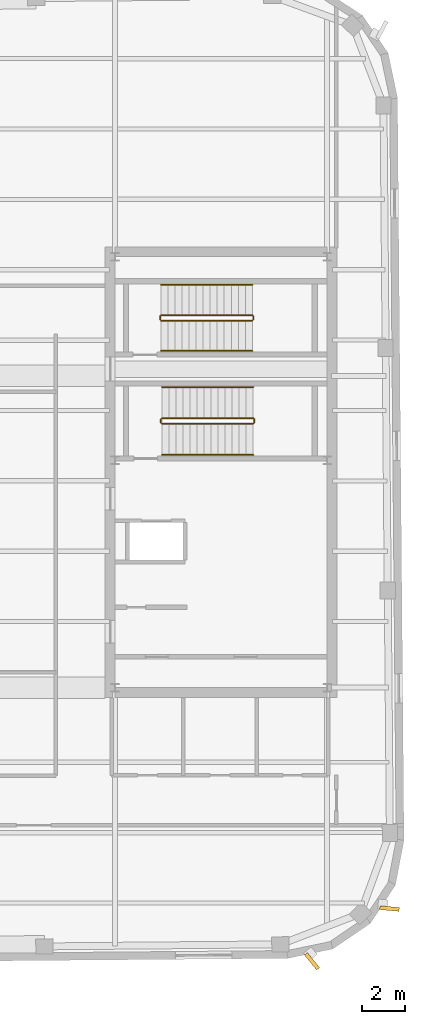
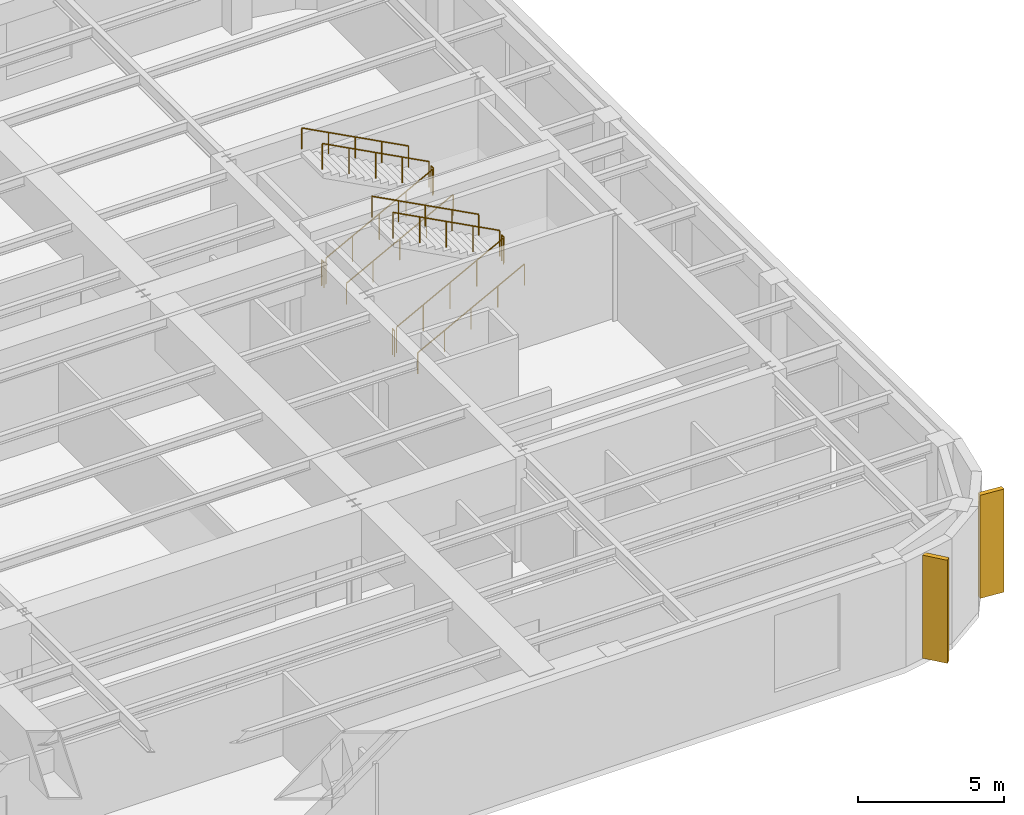
# One storey, part 13 of 14: 12 railings, 2 shading devices.
"""IFC4 building model written with IfcOpenShell, lengths in metres."""

from ifc_helpers import new_model, si_unit, direction, frame, origin, origin_2d, place, context, subcontext, project, spatial, rectangle, circle, extrude, material, type_object, element, save


model = new_model("IFC4")

# Units and contexts
model_context = context("Model", 3, precision=1e-05, world=origin(), true_north=direction((0.0, 1.0)))
body_context = subcontext(model_context, "Body", "Model", "MODEL_VIEW")
ifc_project = project(units=[si_unit("LENGTHUNIT", "METRE"), si_unit("AREAUNIT", "SQUARE_METRE"), si_unit("VOLUMEUNIT", "CUBIC_METRE"), si_unit("PLANEANGLEUNIT", "RADIAN"), si_unit("MASSUNIT", "GRAM", prefix="KILO")], contexts=[model_context])

# Site, building, storey
site_placement = place(None, origin())
site = spatial("IfcSite", under=ifc_project, at=site_placement, CompositionType="ELEMENT")
building_placement = place(site_placement, origin())
building = spatial("IfcBuilding", under=site, at=building_placement, Name="Kolvaren Arena Tower", CompositionType="ELEMENT")
storey_placement = place(building_placement, frame((0.0, 0.0, 317.199951171875)))
storey = spatial("IfcBuildingStorey", under=building, at=storey_placement, Name="L78", CompositionType="ELEMENT", Elevation=317.199951171875)

# Railings
ifc_material_1 = material(Name="Painted galvanized steel", Category="steel")
railing_type_1 = type_object("IfcRailingType", Name="GUARD-ST-110", PredefinedType="GUARDRAIL", material=ifc_material_1)
railing_1_placement = place(storey_placement, frame((52.719970703125, 31.639892578125, 0.17138671875)))
element("IfcRailing", 1, at=railing_1_placement, inside=storey, type_object=railing_type_1, Name="L78 ST-E1 stair guard 1", PredefinedType="GUARDRAIL", context=body_context, shape_type="SweptSolid", body=[
    extrude(circle(Radius=0.02392578125, at=origin_2d()), frame((0.0, 0.0, 1.076171875), z_axis=(0.883881365342, 0.0, 0.467711163007), x_axis=(0.0, 1.0, 0.0)), (0.0, 0.0, 1.0), 4.76513671875),
    extrude(circle(Radius=0.02099609375, at=origin_2d()), origin(), (0.0, 0.0, 1.0), 1.052001953125),
    extrude(circle(Radius=0.02099609375, at=origin_2d()), frame((1.052978515625, 0.0, 0.55712890625)), (0.0, 0.0, 1.0), 1.052001953125),
    extrude(circle(Radius=0.02099609375, at=origin_2d()), frame((2.10595703125, 0.0, 1.1142578125)), (0.0, 0.0, 1.0), 1.052001953125),
    extrude(circle(Radius=0.02099609375, at=origin_2d()), frame((3.158935546875, 0.0, 1.671630859375)), (0.0, 0.0, 1.0), 1.052001953125),
    extrude(circle(Radius=0.02099609375, at=origin_2d()), frame((4.2119140625, 0.0, 2.228759765625)), (0.0, 0.0, 1.0), 1.052001953125),
])
railing_2_placement = place(storey_placement, frame((56.98193359375, 31.68994140625, 2.400146484375)))
element("IfcRailing", 2, at=railing_2_placement, inside=storey, type_object=railing_type_1, Name="L78 ST-E1 stair guard 2", PredefinedType="GUARDRAIL", context=body_context, shape_type="SweptSolid", body=[
    extrude(circle(Radius=0.02392578125, at=origin_2d()), frame((0.0, 0.0, 1.076171875), z_axis=(0.0, 1.0, 0.0), x_axis=(-1.0, 0.0, 0.0)), (0.0, 0.0, 1.0), 0.150146484375),
    extrude(circle(Radius=0.02099609375, at=origin_2d()), origin(), (0.0, 0.0, 1.0), 1.052001953125),
    extrude(circle(Radius=0.02099609375, at=origin_2d()), frame((0.0, 0.150146484375, 0.0)), (0.0, 0.0, 1.0), 1.052001953125),
])
railing_3_placement = place(storey_placement, frame((56.931884765625, 31.889892578125, 2.571533203125)))
element("IfcRailing", 3, at=railing_3_placement, inside=storey, type_object=railing_type_1, Name="L78 ST-E1 stair guard 3", PredefinedType="GUARDRAIL", context=body_context, shape_type="SweptSolid", body=[
    extrude(circle(Radius=0.02392578125, at=origin_2d()), frame((0.0, 0.0, 1.076171875), z_axis=(-0.883902544957, 0.0, 0.467671135542), x_axis=(0.0, -1.0, 0.0)), (0.0, 0.0, 1.0), 4.76513671875),
    extrude(circle(Radius=0.02099609375, at=origin_2d()), origin(), (0.0, 0.0, 1.0), 1.052001953125),
    extrude(circle(Radius=0.02099609375, at=origin_2d()), frame((-1.052978515625, 0.0, 0.55712890625)), (0.0, 0.0, 1.0), 1.052001953125),
    extrude(circle(Radius=0.02099609375, at=origin_2d()), frame((-2.10595703125, 0.0, 1.1142578125)), (0.0, 0.0, 1.0), 1.052001953125),
    extrude(circle(Radius=0.02099609375, at=origin_2d()), frame((-3.158935546875, 0.0, 1.67138671875)), (0.0, 0.0, 1.0), 1.052001953125),
    extrude(circle(Radius=0.02099609375, at=origin_2d()), frame((-4.2119140625, 0.0, 2.228515625)), (0.0, 0.0, 1.0), 1.052001953125),
])
railing_4_placement = place(storey_placement, frame((52.669921875, 31.68994140625, 0.0)))
element("IfcRailing", 4, at=railing_4_placement, inside=storey, type_object=railing_type_1, Name="L78 ST-E1 stair guard 4", PredefinedType="GUARDRAIL", context=body_context, shape_type="SweptSolid", body=[
    extrude(circle(Radius=0.02392578125, at=origin_2d()), frame((0.0, 0.0, 1.076171875), z_axis=(0.0, 1.0, 0.0), x_axis=(-1.0, 0.0, 0.0)), (0.0, 0.0, 1.0), 0.150146484375),
    extrude(circle(Radius=0.02099609375, at=origin_2d()), origin(), (0.0, 0.0, 1.0), 1.052001953125),
    extrude(circle(Radius=0.02099609375, at=origin_2d()), frame((0.0, 0.150146484375, 0.0)), (0.0, 0.0, 1.0), 1.052001953125),
])
railing_5_placement = place(storey_placement, frame((52.679931640625, 36.39990234375, 0.17138671875)))
element("IfcRailing", 5, at=railing_5_placement, inside=storey, type_object=railing_type_1, Name="L78 ST-E2 stair guard 1", PredefinedType="GUARDRAIL", context=body_context, shape_type="SweptSolid", body=[
    extrude(circle(Radius=0.02392578125, at=origin_2d()), frame((0.0, 0.0, 1.076171875), z_axis=(0.883892572113, 0.0, 0.467689983818), x_axis=(0.0, 1.0, 0.0)), (0.0, 0.0, 1.0), 4.765380859375),
    extrude(circle(Radius=0.02099609375, at=origin_2d()), origin(), (0.0, 0.0, 1.0), 1.052001953125),
    extrude(circle(Radius=0.02099609375, at=origin_2d()), frame((1.052978515625, 0.0, 0.55712890625)), (0.0, 0.0, 1.0), 1.052001953125),
    extrude(circle(Radius=0.02099609375, at=origin_2d()), frame((2.10595703125, 0.0, 1.1142578125)), (0.0, 0.0, 1.0), 1.052001953125),
    extrude(circle(Radius=0.02099609375, at=origin_2d()), frame((3.1591796875, 0.0, 1.671630859375)), (0.0, 0.0, 1.0), 1.052001953125),
    extrude(circle(Radius=0.02099609375, at=origin_2d()), frame((4.212158203125, 0.0, 2.228759765625)), (0.0, 0.0, 1.0), 1.052001953125),
])
railing_6_placement = place(storey_placement, frame((56.94189453125, 36.449951171875, 2.400146484375)))
element("IfcRailing", 6, at=railing_6_placement, inside=storey, type_object=railing_type_1, Name="L78 ST-E2 stair guard 2", PredefinedType="GUARDRAIL", context=body_context, shape_type="SweptSolid", body=[
    extrude(circle(Radius=0.02392578125, at=origin_2d()), frame((0.0, 0.0, 1.076171875), z_axis=(0.0, 1.0, 0.0), x_axis=(-1.0, 0.0, 0.0)), (0.0, 0.0, 1.0), 0.150146484375),
    extrude(circle(Radius=0.02099609375, at=origin_2d()), origin(), (0.0, 0.0, 1.0), 1.052001953125),
    extrude(circle(Radius=0.02099609375, at=origin_2d()), frame((0.0, 0.150146484375, 0.0)), (0.0, 0.0, 1.0), 1.052001953125),
])
railing_7_placement = place(storey_placement, frame((56.89208984375, 36.64990234375, 2.571533203125)))
element("IfcRailing", 7, at=railing_7_placement, inside=storey, type_object=railing_type_1, Name="L78 ST-E2 stair guard 3", PredefinedType="GUARDRAIL", context=body_context, shape_type="SweptSolid", body=[
    extrude(circle(Radius=0.02392578125, at=origin_2d()), frame((0.0, 0.0, 1.076171875), z_axis=(-0.883913750078, 0.0, 0.46764995715), x_axis=(0.0, -1.0, 0.0)), (0.0, 0.0, 1.0), 4.765380859375),
    extrude(circle(Radius=0.02099609375, at=origin_2d()), origin(), (0.0, 0.0, 1.0), 1.052001953125),
    extrude(circle(Radius=0.02099609375, at=origin_2d()), frame((-1.052978515625, 0.0, 0.55712890625)), (0.0, 0.0, 1.0), 1.052001953125),
    extrude(circle(Radius=0.02099609375, at=origin_2d()), frame((-2.10595703125, 0.0, 1.1142578125)), (0.0, 0.0, 1.0), 1.052001953125),
    extrude(circle(Radius=0.02099609375, at=origin_2d()), frame((-3.1591796875, 0.0, 1.67138671875)), (0.0, 0.0, 1.0), 1.052001953125),
    extrude(circle(Radius=0.02099609375, at=origin_2d()), frame((-4.212158203125, 0.0, 2.228515625)), (0.0, 0.0, 1.0), 1.052001953125),
])
railing_8_placement = place(storey_placement, frame((52.6298828125, 36.449951171875, 0.0)))
element("IfcRailing", 8, at=railing_8_placement, inside=storey, type_object=railing_type_1, Name="L78 ST-E2 stair guard 4", PredefinedType="GUARDRAIL", context=body_context, shape_type="SweptSolid", body=[
    extrude(circle(Radius=0.02392578125, at=origin_2d()), frame((0.0, 0.0, 1.076171875), z_axis=(0.0, 1.0, 0.0), x_axis=(-1.0, 0.0, 0.0)), (0.0, 0.0, 1.0), 0.150146484375),
    extrude(circle(Radius=0.02099609375, at=origin_2d()), origin(), (0.0, 0.0, 1.0), 1.052001953125),
    extrude(circle(Radius=0.02099609375, at=origin_2d()), frame((0.0, 0.150146484375, 0.0)), (0.0, 0.0, 1.0), 1.052001953125),
])
ifc_material_2 = material(Name="Brushed stainless steel handrail", Category="steel")
railing_type_2 = type_object("IfcRailingType", Name="HRAIL-900", PredefinedType="HANDRAIL", material=ifc_material_2)
railing_9_placement = place(storey_placement, frame((52.719970703125, 30.199951171875, 0.17138671875)))
element("IfcRailing", 9, at=railing_9_placement, inside=storey, type_object=railing_type_2, Name="L78 ST-E1 stair handrail 1", PredefinedType="HANDRAIL", context=body_context, shape_type="SweptSolid", body=[
    extrude(circle(Radius=0.02392578125, at=origin_2d()), frame((0.0, 0.0, 0.8759765625), z_axis=(0.883881365342, 0.0, 0.467711163007), x_axis=(0.0, 1.0, 0.0)), (0.0, 0.0, 1.0), 4.76513671875),
    extrude(circle(Radius=0.02099609375, at=origin_2d()), origin(), (0.0, 0.0, 1.0), 0.851806640625),
    extrude(circle(Radius=0.02099609375, at=origin_2d()), frame((1.052978515625, 0.0, 0.55712890625)), (0.0, 0.0, 1.0), 0.851806640625),
    extrude(circle(Radius=0.02099609375, at=origin_2d()), frame((2.10595703125, 0.0, 1.1142578125)), (0.0, 0.0, 1.0), 0.851806640625),
    extrude(circle(Radius=0.02099609375, at=origin_2d()), frame((3.158935546875, 0.0, 1.671630859375)), (0.0, 0.0, 1.0), 0.851806640625),
    extrude(circle(Radius=0.02099609375, at=origin_2d()), frame((4.2119140625, 0.0, 2.228759765625)), (0.0, 0.0, 1.0), 0.851806640625),
])
railing_10_placement = place(storey_placement, frame((56.931884765625, 33.330078125, 2.571533203125)))
element("IfcRailing", 10, at=railing_10_placement, inside=storey, type_object=railing_type_2, Name="L78 ST-E1 stair handrail 2", PredefinedType="HANDRAIL", context=body_context, shape_type="SweptSolid", body=[
    extrude(circle(Radius=0.02392578125, at=origin_2d()), frame((0.0, 0.0, 0.8759765625), z_axis=(-0.883902544957, 0.0, 0.467671135542), x_axis=(0.0, -1.0, 0.0)), (0.0, 0.0, 1.0), 4.76513671875),
    extrude(circle(Radius=0.02099609375, at=origin_2d()), origin(), (0.0, 0.0, 1.0), 0.851806640625),
    extrude(circle(Radius=0.02099609375, at=origin_2d()), frame((-1.052978515625, 0.0, 0.55712890625)), (0.0, 0.0, 1.0), 0.851806640625),
    extrude(circle(Radius=0.02099609375, at=origin_2d()), frame((-2.10595703125, 0.0, 1.1142578125)), (0.0, 0.0, 1.0), 0.851806640625),
    extrude(circle(Radius=0.02099609375, at=origin_2d()), frame((-3.158935546875, 0.0, 1.67138671875)), (0.0, 0.0, 1.0), 0.851806640625),
    extrude(circle(Radius=0.02099609375, at=origin_2d()), frame((-4.2119140625, 0.0, 2.228515625)), (0.0, 0.0, 1.0), 0.851806640625),
])
railing_11_placement = place(storey_placement, frame((52.679931640625, 35.0, 0.17138671875)))
element("IfcRailing", 11, at=railing_11_placement, inside=storey, type_object=railing_type_2, Name="L78 ST-E2 stair handrail 1", PredefinedType="HANDRAIL", context=body_context, shape_type="SweptSolid", body=[
    extrude(circle(Radius=0.02392578125, at=origin_2d()), frame((0.0, 0.0, 0.8759765625), z_axis=(0.883892572113, 0.0, 0.467689983818), x_axis=(0.0, 1.0, 0.0)), (0.0, 0.0, 1.0), 4.765380859375),
    extrude(circle(Radius=0.02099609375, at=origin_2d()), origin(), (0.0, 0.0, 1.0), 0.851806640625),
    extrude(circle(Radius=0.02099609375, at=origin_2d()), frame((1.052978515625, 0.0, 0.55712890625)), (0.0, 0.0, 1.0), 0.851806640625),
    extrude(circle(Radius=0.02099609375, at=origin_2d()), frame((2.10595703125, 0.0, 1.1142578125)), (0.0, 0.0, 1.0), 0.851806640625),
    extrude(circle(Radius=0.02099609375, at=origin_2d()), frame((3.1591796875, 0.0, 1.671630859375)), (0.0, 0.0, 1.0), 0.851806640625),
    extrude(circle(Radius=0.02099609375, at=origin_2d()), frame((4.212158203125, 0.0, 2.228759765625)), (0.0, 0.0, 1.0), 0.851806640625),
])
railing_12_placement = place(storey_placement, frame((56.89208984375, 38.050048828125, 2.571533203125)))
element("IfcRailing", 12, at=railing_12_placement, inside=storey, type_object=railing_type_2, Name="L78 ST-E2 stair handrail 2", PredefinedType="HANDRAIL", context=body_context, shape_type="SweptSolid", body=[
    extrude(circle(Radius=0.02392578125, at=origin_2d()), frame((0.0, 0.0, 0.8759765625), z_axis=(-0.883913750078, 0.0, 0.46764995715), x_axis=(0.0, -1.0, 0.0)), (0.0, 0.0, 1.0), 4.765380859375),
    extrude(circle(Radius=0.02099609375, at=origin_2d()), origin(), (0.0, 0.0, 1.0), 0.851806640625),
    extrude(circle(Radius=0.02099609375, at=origin_2d()), frame((-1.052978515625, 0.0, 0.55712890625)), (0.0, 0.0, 1.0), 0.851806640625),
    extrude(circle(Radius=0.02099609375, at=origin_2d()), frame((-2.10595703125, 0.0, 1.1142578125)), (0.0, 0.0, 1.0), 0.851806640625),
    extrude(circle(Radius=0.02099609375, at=origin_2d()), frame((-3.1591796875, 0.0, 1.67138671875)), (0.0, 0.0, 1.0), 0.851806640625),
    extrude(circle(Radius=0.02099609375, at=origin_2d()), frame((-4.212158203125, 0.0, 2.228515625)), (0.0, 0.0, 1.0), 0.851806640625),
])

# Shading devices
ifc_material_3 = material(Name="Precast architectural concrete C50/60 rib fin", Category="concrete")
shading_device_type = type_object("IfcShadingDeviceType", Name="SHAD-FIN-28", PredefinedType="USERDEFINED", material=ifc_material_3)
for number, where, z_axis, x_axis, name in (
    (13, (59.650634765625, 6.80615234375, 0.02001953125), (0.0, 0.0, 1.0), (0.639409480102, -0.768866384202, 0.0), "Precast 28-Deg Corner Rib Fin (L78)"),
    (14, (63.22900390625, 9.24267578125, 0.02001953125), (0.0, 0.0, 1.0), (0.995807961336, -0.091468596471, 0.0), "Precast 28-Deg Corner Rib Fin (L78)"),
):
    element("IfcShadingDevice", number, at=place(storey_placement, frame(where, z_axis=z_axis, x_axis=x_axis)), inside=storey, type_object=shading_device_type, Name=name, ObjectType="FIN", PredefinedType="USERDEFINED", context=body_context, shape_type="SweptSolid", body=[
        extrude(rectangle(XDim=0.89990234375, YDim=0.179931640625, at=origin_2d()), origin(), (0.0, 0.0, 1.0), 4.300048828125),
    ])

save(model, "model.ifc")
